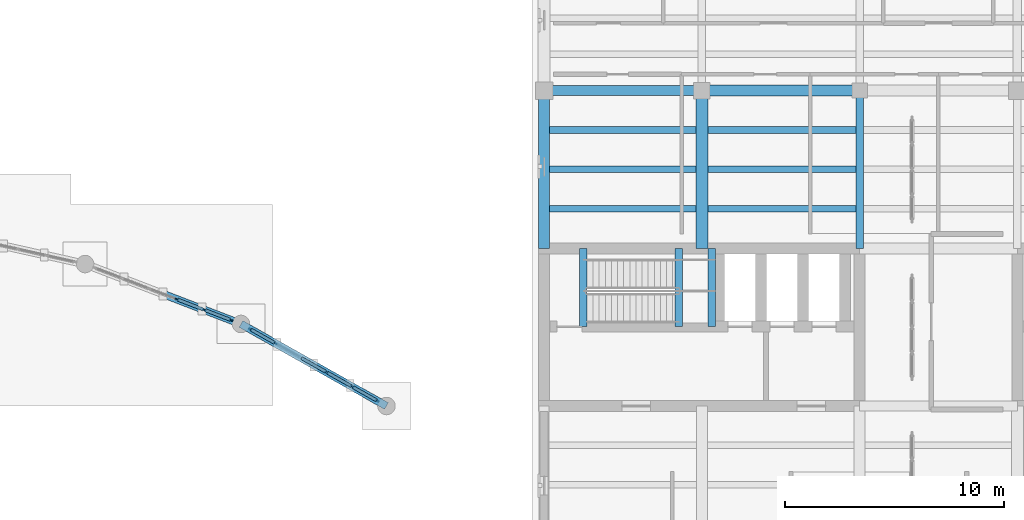
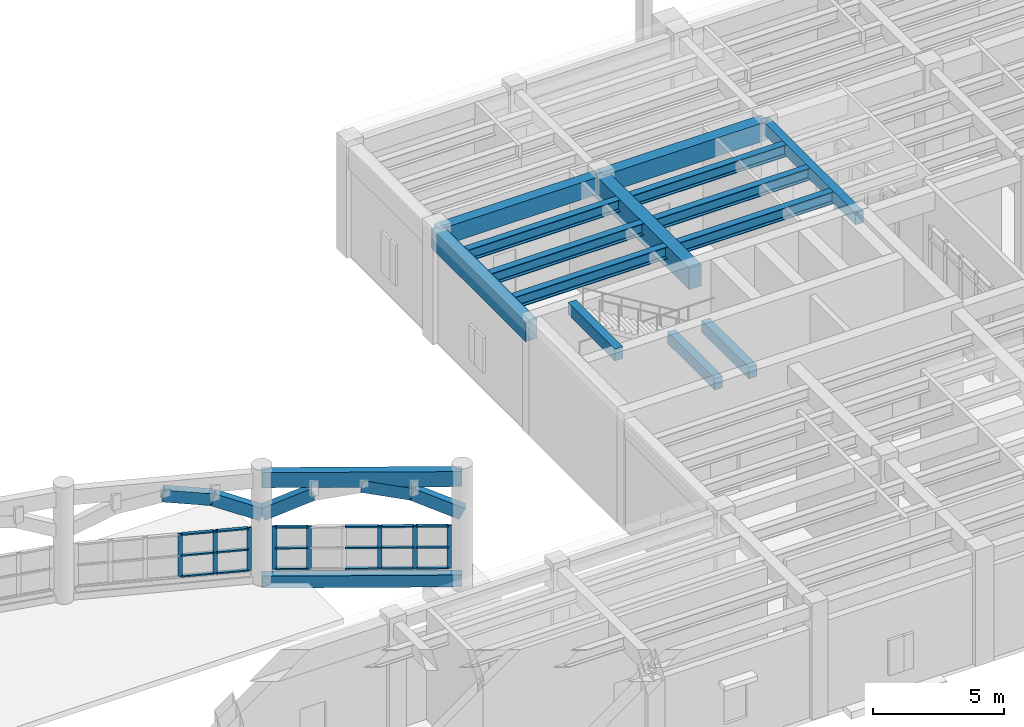
# One storey, part 33 of 100: 31 members, 16 beams, 2 elements without a shape of their own.
"""IFC4 building model written with IfcOpenShell, lengths in metres."""

import ifcopenshell
import ifcopenshell.guid

model = None  # the IFC model being written
_history = None  # IfcOwnerHistory: only IFC2X3 demands one
_inside = {}  # id of a spatial element -> (the spatial element, [elements in it])
_under = {}  # id of a project, library or spatial element -> (it, [spatial elements below it])
_declared = {}  # id of a project -> (the project, [libraries it declares])
_typed = {}  # id of a type object -> (the type object, [elements of that type])
_made_of = {}  # id of a material, layer set ... -> (it, [elements and type objects made of it])


def new_model(schema):
    """Start an empty IFC model of exactly this schema.

    Asked for "IFC4X3", IfcOpenShell would pick the latest addendum, in which some entities
    have other attributes; the version numbers below select the first issue.
    IFC2X3 requires an IfcOwnerHistory on every rooted entity: one is made here for all.
    """
    global model, _history
    if schema == "IFC4X3":
        model = ifcopenshell.file(schema_version=(4, 3, 0, 0))
    else:
        model = ifcopenshell.file(schema=schema)
    _inside.clear()
    _under.clear()
    _declared.clear()
    _typed.clear()
    _made_of.clear()
    _history = None
    if model.schema == "IFC2X3":
        org = make("IfcOrganization", Name="unknown")
        user = make(
            "IfcPersonAndOrganization",
            ThePerson=make("IfcPerson", FamilyName="unknown"),
            TheOrganization=org,
        )
        app = make(
            "IfcApplication",
            ApplicationDeveloper=org,
            Version="unknown",
            ApplicationFullName="unknown",
            ApplicationIdentifier="unknown",
        )
        _history = make(
            "IfcOwnerHistory",
            OwningUser=user,
            OwningApplication=app,
            ChangeAction="ADDED",
            CreationDate=0,
        )
    return model


def make(cls, **values):
    """One entity of the class cls with the attributes given. An attribute that is None is left unset."""
    return model.create_entity(
        cls, **{name: value for name, value in values.items() if value is not None}
    )


def rooted(cls, **values):
    """An entity with a GlobalId (a new one), such as an element, a storey or a relation."""
    return make(cls, GlobalId=ifcopenshell.guid.new(), OwnerHistory=_history, **values)


def si_unit(unit_type, name, prefix=None):
    """IfcSIUnit, for example si_unit("LENGTHUNIT", "METRE", prefix="MILLI")."""
    return make("IfcSIUnit", UnitType=unit_type, Prefix=prefix, Name=name)


def assignment(units):
    """IfcUnitAssignment: the units of a project."""
    return None if units is None else make("IfcUnitAssignment", Units=units)


def point(xyz):
    """IfcCartesianPoint."""
    return None if xyz is None else make("IfcCartesianPoint", Coordinates=xyz)


def direction(xyz):
    """IfcDirection."""
    return None if xyz is None else make("IfcDirection", DirectionRatios=xyz)


def frame(location, z_axis=None, x_axis=None):
    """IfcAxis2Placement3D, a coordinate frame: its origin and axes. An axis left out is left unset."""
    return make(
        "IfcAxis2Placement3D",
        Location=point(location),
        Axis=direction(z_axis),
        RefDirection=direction(x_axis),
    )


def frame_2d(location, x_axis=None):
    """IfcAxis2Placement2D, a coordinate frame in the plane: its origin and x axis."""
    return make(
        "IfcAxis2Placement2D", Location=point(location), RefDirection=direction(x_axis)
    )


def origin():
    """The frame at (0, 0, 0) with its axes left unset."""
    return frame((0.0, 0.0, 0.0))


def origin_2d():
    """The frame at (0, 0) in the plane with its x axis left unset."""
    return frame_2d((0.0, 0.0))


def place(relative_to, where):
    """IfcLocalPlacement: puts the frame where relative to a parent placement (None: the world)."""
    return make(
        "IfcLocalPlacement", PlacementRelTo=relative_to, RelativePlacement=where
    )


def context(
    kind, dimensions, precision=None, world=None, true_north=None, identifier=None
):
    """IfcGeometricRepresentationContext, for example the 3D "Model" context."""
    return make(
        "IfcGeometricRepresentationContext",
        ContextIdentifier=identifier,
        ContextType=kind,
        CoordinateSpaceDimension=dimensions,
        Precision=precision,
        WorldCoordinateSystem=world,
        TrueNorth=true_north,
    )


def subcontext(parent, identifier, kind, view, scale=None):
    """IfcGeometricRepresentationSubContext, for example "Body" below "Model"."""
    return make(
        "IfcGeometricRepresentationSubContext",
        ContextIdentifier=identifier,
        ContextType=kind,
        ParentContext=parent,
        TargetScale=scale,
        TargetView=view,
    )


def project(units=None, contexts=None):
    """IfcProject with its units and contexts."""
    return rooted(
        "IfcProject",
        Name="project",
        RepresentationContexts=contexts,
        UnitsInContext=assignment(units),
    )


def spatial(cls, under=None, at=None, **own):
    """A site, building, storey or space (cls), placed at a placement, below another one or the project."""
    s = rooted(cls, ObjectPlacement=at, **own)
    if under is not None:
        _under.setdefault(under.id(), (under, []))[1].append(s)
    return s


def profile(cls, at=None, kind="AREA", **sizes):
    """A parametric profile (cls). Its sizes go by their IFC names, for example OverallWidth=200.0."""
    return make(cls, ProfileType=kind, Position=at, **sizes)


def rectangle(**sizes):
    """IfcRectangleProfileDef."""
    return profile("IfcRectangleProfileDef", **sizes)


def i_section(**sizes):
    """IfcIShapeProfileDef."""
    return profile("IfcIShapeProfileDef", **sizes)


def extrude(swept, where, along, depth):
    """IfcExtrudedAreaSolid: the profile swept, set in the frame where, extruded along a direction by depth."""
    return make(
        "IfcExtrudedAreaSolid",
        SweptArea=swept,
        Position=where,
        ExtrudedDirection=direction(along),
        Depth=depth,
    )


def shape(context_of_items, identifier, shape_type, items):
    """IfcShapeRepresentation: the items that make up one representation, for example the "Body"."""
    return make(
        "IfcShapeRepresentation",
        ContextOfItems=context_of_items,
        RepresentationIdentifier=identifier,
        RepresentationType=shape_type,
        Items=items,
    )


def material(Name=None, Category=None):
    """IfcMaterial."""
    return make("IfcMaterial", Name=Name, Category=Category)


def material_profile(
    of_material, cross_section, Name=None, Category=None, Priority=None
):
    """IfcMaterialProfile: a cross section and its material."""
    return make(
        "IfcMaterialProfile",
        Name=Name,
        Material=of_material,
        Profile=cross_section,
        Priority=Priority,
        Category=Category,
    )


def profile_set(profiles, Name=None, composite=None):
    """IfcMaterialProfileSet."""
    return make(
        "IfcMaterialProfileSet",
        Name=Name,
        MaterialProfiles=profiles,
        CompositeProfile=composite,
    )


def made_of(thing, what):
    """Note that an element or type object is made of a material, layer set ...; save() writes the relation."""
    if what is not None:
        _made_of.setdefault(what.id(), (what, []))[1].append(thing)
    return thing


def type_object(cls, material=None, **own):
    """A type object (cls), such as IfcWallType, which elements share."""
    return made_of(rooted(cls, **own), material)


def element(
    cls,
    number,
    at=None,
    inside=None,
    cuts=None,
    type_object=None,
    material=None,
    context=None,
    identifier="Body",
    shape_type=None,
    held_by="IfcProductDefinitionShape",
    body=None,
    shapes=None,
    **own,
):
    """One element of the class cls, such as IfcWall. Its Tag is "e" and its number.

    at: its placement. inside: the storey or other place that contains it. cuts: it is an
    opening in that element (IfcRelVoidsElement). A single representation is given by context,
    identifier, shape_type and body (its items); several are given by shapes. held_by: the class
    of the entity that holds the representations. save() writes the other relations.
    """
    e = rooted(cls, Tag="e%d" % number, ObjectPlacement=at, **own)
    if body is not None:
        shapes = [shape(context, identifier, shape_type, body)]
    if shapes is not None:
        e.Representation = make(held_by, Representations=shapes)
    if inside is not None:
        _inside.setdefault(inside.id(), (inside, []))[1].append(e)
    if cuts is not None:
        rooted(
            "IfcRelVoidsElement", RelatingBuildingElement=cuts, RelatedOpeningElement=e
        )
    if type_object is not None:
        _typed.setdefault(type_object.id(), (type_object, []))[1].append(e)
    return made_of(e, material)


def aggregate(whole, parts):
    """IfcRelAggregates: a whole, such as a stair, and the parts it consists of."""
    return rooted("IfcRelAggregates", RelatingObject=whole, RelatedObjects=parts)


def save(model, path):
    """Write the relations noted so far, then the file.

    IfcRelAggregates (storeys below a building ...), IfcRelContainedInSpatialStructure (elements
    in a storey), IfcRelDefinesByType, IfcRelAssociatesMaterial and IfcRelDeclares: one each for
    every whole, place, type object, material and project.
    """
    for whole, parts in _under.values():
        aggregate(whole, parts)
    for where, things in _inside.values():
        rooted(
            "IfcRelContainedInSpatialStructure",
            RelatedElements=things,
            RelatingStructure=where,
        )
    for kind, things in _typed.values():
        rooted("IfcRelDefinesByType", RelatedObjects=things, RelatingType=kind)
    for what, things in _made_of.values():
        rooted("IfcRelAssociatesMaterial", RelatedObjects=things, RelatingMaterial=what)
    for by, libraries in _declared.values():
        rooted("IfcRelDeclares", RelatingContext=by, RelatedDefinitions=libraries)
    model.write(path)


model = new_model("IFC4")

# Units and contexts
model_context = context("Model", 3, precision=1e-05, world=origin(), true_north=direction((0.0, 1.0)))
body_context = subcontext(model_context, "Body", "Model", "MODEL_VIEW")
ifc_project = project(units=[si_unit("LENGTHUNIT", "METRE"), si_unit("AREAUNIT", "SQUARE_METRE"), si_unit("VOLUMEUNIT", "CUBIC_METRE"), si_unit("PLANEANGLEUNIT", "RADIAN"), si_unit("MASSUNIT", "GRAM", prefix="KILO")], contexts=[model_context])

# Site, building, storey
site_placement = place(None, origin())
site = spatial("IfcSite", under=ifc_project, at=site_placement, CompositionType="ELEMENT")
building_placement = place(site_placement, origin())
building = spatial("IfcBuilding", under=site, at=building_placement, Name="Mithqara Police Headquarters", CompositionType="ELEMENT")
storey_placement = place(building_placement, origin())
storey = spatial("IfcBuildingStorey", under=building, at=storey_placement, Name="L00", CompositionType="ELEMENT", Elevation=0.0)

# Members
ifc_material_1 = material(Name="Concrete C50/60", Category="concrete")
ifc_material_profile_1 = material_profile(ifc_material_1, rectangle(XDim=0.35009765625, YDim=0.550048828125, at=origin_2d()), Name="ARC 350x550")
ifc_profile_set_1 = profile_set([ifc_material_profile_1], Name="Concrete C50/60")
member_type_1 = type_object("IfcMemberType", Name="ARCH SEG 350X550", PredefinedType="STRUT", material=ifc_profile_set_1)
member_1_placement = place(storey_placement, frame((91.201416015625, 98.113037109375, 4.449951171875), z_axis=(0.915342841654, -0.351794086097, -0.195929587401), x_axis=(0.358747338936, 0.933434704094, 0.0)))
element("IfcMember", 1, at=member_1_placement, inside=storey, type_object=member_type_1, Name="Forecourt Colonnade Bay 7 Ottoman Arch Chord 3", PredefinedType="STRUT", context=body_context, shape_type="SweptSolid", body=[
    extrude(rectangle(XDim=0.35009765625, YDim=0.550048828125, at=origin_2d()), origin(), (0.0, 0.0, 1.0), 1.94384765625),
])
for number, where, z_axis, x_axis, name in (
    (2, (92.980712890625, 97.42919921875, 4.069091796875), (0.840782602286, -0.323067282339, -0.434410113573), (0.358678621144, 0.933461111528, 0.0), "Forecourt Colonnade Bay 7 Ottoman Arch Chord 4"),
    (3, (94.759765625, 96.74560546875, 3.14990234375), (0.784556167947, -0.442466603541, 0.434390290047), (0.491233979485, 0.871027655932, 0.0), "Forecourt Colonnade Bay 8 Ottoman Arch Chord 1"),
):
    element("IfcMember", number, at=place(storey_placement, frame(where, z_axis=z_axis, x_axis=x_axis)), inside=storey, type_object=member_type_1, Name=name, PredefinedType="STRUT", context=body_context, shape_type="SweptSolid", body=[
        extrude(rectangle(XDim=0.35009765625, YDim=0.550048828125, at=origin_2d()), origin(), (0.0, 0.0, 1.0), 2.115966796875),
    ])
member_2_placement = place(storey_placement, frame((98.079833984375, 94.872802734375, 4.449951171875), z_axis=(0.854090102127, -0.481807298788, -0.195938317547), x_axis=(0.491331152556, 0.870972846033, 0.0)))
element("IfcMember", 4, at=member_2_placement, inside=storey, type_object=member_type_1, Name="Forecourt Colonnade Bay 8 Ottoman Arch Chord 3", PredefinedType="STRUT", context=body_context, shape_type="SweptSolid", body=[
    extrude(rectangle(XDim=0.35009765625, YDim=0.550048828125, at=origin_2d()), origin(), (0.0, 0.0, 1.0), 1.94384765625),
])
member_3_placement = place(storey_placement, frame((99.739990234375, 93.936279296875, 4.069091796875), z_axis=(0.784511803162, -0.442506657615, -0.434429613017), x_axis=(0.491288792555, 0.8709967407, 0.0)))
element("IfcMember", 5, at=member_3_placement, inside=storey, type_object=member_type_1, Name="Forecourt Colonnade Bay 8 Ottoman Arch Chord 4", PredefinedType="STRUT", context=body_context, shape_type="SweptSolid", body=[
    extrude(rectangle(XDim=0.35009765625, YDim=0.550048828125, at=origin_2d()), origin(), (0.0, 0.0, 1.0), 2.115966796875),
])

# Beams
ifc_material_2 = material(Name="Steel S355JR", Category="steel")
ifc_material_profile_2 = material_profile(ifc_material_2, i_section(OverallWidth=0.300048828125, OverallDepth=0.550048828125, WebThickness=0.014892578125, FlangeThickness=0.029052734375, FilletRadius=0.027099609375, at=origin_2d()), Name="HEB 550")
ifc_profile_set_2 = profile_set([ifc_material_profile_2], Name="Steel S355JR")
beam_type_1 = type_object("IfcBeamType", Name="BEAM HEB550", PredefinedType="BEAM", material=ifc_profile_set_2)
for number, where, z_axis, x_axis, name in (
    (6, (108.85009765625, 102.0, 4.844970703125), (1.0, 0.0, 0.0), (0.0, 1.0, 0.0), "L00 Composite Steel Joist 16-17/Q.1"),
    (7, (108.85009765625, 103.800048828125, 4.844970703125), (1.0, 0.0, 0.0), (0.0, 1.0, 0.0), "L00 Composite Steel Joist 16-17/Q.2"),
    (8, (108.85009765625, 105.60009765625, 4.844970703125), (1.0, 0.0, 0.0), (0.0, 1.0, 0.0), "L00 Composite Steel Joist 16-17/Q.3"),
):
    element("IfcBeam", number, at=place(storey_placement, frame(where, z_axis=z_axis, x_axis=x_axis)), inside=storey, type_object=beam_type_1, Name=name, PredefinedType="BEAM", context=body_context, shape_type="SweptSolid", body=[
        extrude(i_section(OverallWidth=0.300048828125, OverallDepth=0.550048828125, WebThickness=0.014892578125, FlangeThickness=0.029052734375, FilletRadius=0.027099609375, at=origin_2d()), origin(), (0.0, 0.0, 1.0), 6.6748046875),
    ])
for number, where, z_axis, x_axis, name in (
    (9, (116.074951171875, 102.0, 4.844970703125), (1.0, 0.0, 0.0), (0.0, 1.0, 0.0), "L00 Composite Steel Joist 17-18/Q.1"),
    (10, (116.074951171875, 103.800048828125, 4.844970703125), (1.0, 0.0, 0.0), (0.0, 1.0, 0.0), "L00 Composite Steel Joist 17-18/Q.2"),
    (11, (116.074951171875, 105.60009765625, 4.844970703125), (1.0, 0.0, 0.0), (0.0, 1.0, 0.0), "L00 Composite Steel Joist 17-18/Q.3"),
):
    element("IfcBeam", number, at=place(storey_placement, frame(where, z_axis=z_axis, x_axis=x_axis)), inside=storey, type_object=beam_type_1, Name=name, PredefinedType="BEAM", context=body_context, shape_type="SweptSolid", body=[
        extrude(i_section(OverallWidth=0.300048828125, OverallDepth=0.550048828125, WebThickness=0.014892578125, FlangeThickness=0.029052734375, FilletRadius=0.027099609375, at=origin_2d()), origin(), (0.0, 0.0, 1.0), 6.75),
    ])
ifc_material_3 = material(Name="Concrete C40/50", Category="concrete")
ifc_material_profile_3 = material_profile(ifc_material_3, rectangle(XDim=0.35009765625, YDim=0.550048828125, at=origin_2d()), Name="RC 350x550")
ifc_profile_set_3 = profile_set([ifc_material_profile_3], Name="Concrete C40/50")
beam_type_2 = type_object("IfcBeamType", Name="BEAM RC350X550", PredefinedType="BEAM", material=ifc_profile_set_3)
beam_1_placement = place(storey_placement, frame((94.759765625, 96.74560546875, 0.0400390625), z_axis=(0.870984792582, -0.491309974549, 0.0), x_axis=(0.491309974549, 0.870984792582, 0.0)))
element("IfcBeam", 12, at=beam_1_placement, inside=storey, type_object=beam_type_2, Name="Forecourt Colonnade Plinth Spandrel 8", PredefinedType="BEAM", context=body_context, shape_type="SweptSolid", body=[
    extrude(rectangle(XDim=0.35009765625, YDim=0.550048828125, at=origin_2d()), origin(), (0.0, 0.0, 1.0), 7.623779296875),
])
beam_2_placement = place(storey_placement, frame((123.0, 100.199951171875, 4.844970703125), z_axis=(0.0, 1.0, 0.0), x_axis=(-1.0, 0.0, 0.0)))
element("IfcBeam", 13, at=beam_2_placement, inside=storey, type_object=beam_type_2, Name="L00 Girder 18/Q-R", PredefinedType="BEAM", context=body_context, shape_type="SweptSolid", body=[
    extrude(rectangle(XDim=0.35009765625, YDim=0.550048828125, at=origin_2d()), origin(), (0.0, 0.0, 1.0), 7.199951171875),
])
for number, where, z_axis, x_axis, name in (
    (14, (114.75, 96.6201171875, 2.235107421875), (0.0, 1.0, 0.0), (-1.0, 0.0, 0.0), "L00 ST-01 Half-Landing Bearer LF"),
    (15, (116.25, 96.6201171875, 2.235107421875), (0.0, 1.0, 0.0), (-1.0, 0.0, 0.0), "L00 ST-01 Half-Landing Bearer LB"),
    (16, (110.376953125, 96.6201171875, 5.125), (0.0, 1.0, 0.0), (-1.0, 0.0, 0.0), "L00 ST-01 Stairwell Trimmer Beam"),
):
    element("IfcBeam", number, at=place(storey_placement, frame(where, z_axis=z_axis, x_axis=x_axis)), inside=storey, type_object=beam_type_2, Name=name, PredefinedType="BEAM", context=body_context, shape_type="SweptSolid", body=[
        extrude(rectangle(XDim=0.35009765625, YDim=0.550048828125, at=origin_2d()), origin(), (0.0, 0.0, 1.0), 3.579833984375),
    ])
ifc_material_profile_4 = material_profile(ifc_material_3, rectangle(XDim=0.449951171875, YDim=0.800048828125, at=origin_2d()), Name="RC 450x800")
ifc_profile_set_4 = profile_set([ifc_material_profile_4], Name="Concrete C40/50")
beam_type_3 = type_object("IfcBeamType", Name="BEAM RC450X800", PredefinedType="BEAM", material=ifc_profile_set_4)
beam_3_placement = place(storey_placement, frame((108.60009765625, 107.39990234375, 4.719970703125), z_axis=(1.0, 0.0, 0.0), x_axis=(0.0, 1.0, 0.0)))
element("IfcBeam", 17, at=beam_3_placement, inside=storey, type_object=beam_type_3, Name="L00 Girder 16-17/R", PredefinedType="BEAM", context=body_context, shape_type="SweptSolid", body=[
    extrude(rectangle(XDim=0.449951171875, YDim=0.800048828125, at=origin_2d()), origin(), (0.0, 0.0, 1.0), 7.199951171875),
])
ifc_material_profile_5 = material_profile(ifc_material_3, rectangle(XDim=0.5, YDim=0.85009765625, at=origin_2d()), Name="RC 500x850")
ifc_profile_set_5 = profile_set([ifc_material_profile_5], Name="Concrete C40/50")
beam_type_4 = type_object("IfcBeamType", Name="BEAM RC500X850", PredefinedType="BEAM", material=ifc_profile_set_5)
beam_4_placement = place(storey_placement, frame((115.800048828125, 107.39990234375, 4.695068359375), z_axis=(1.0, 0.0, 0.0), x_axis=(0.0, 1.0, 0.0)))
element("IfcBeam", 18, at=beam_4_placement, inside=storey, type_object=beam_type_4, Name="L00 Girder 17-18/R", PredefinedType="BEAM", context=body_context, shape_type="SweptSolid", body=[
    extrude(rectangle(XDim=0.5, YDim=0.85009765625, at=origin_2d()), origin(), (0.0, 0.0, 1.0), 7.199951171875),
])
ifc_material_profile_6 = material_profile(ifc_material_1, rectangle(XDim=0.5, YDim=0.89990234375, at=origin_2d()), Name="RC 500x900")
ifc_profile_set_6 = profile_set([ifc_material_profile_6], Name="Concrete C50/60")
beam_type_5 = type_object("IfcBeamType", Name="BEAM RC500X900", PredefinedType="BEAM", material=ifc_profile_set_6)
beam_5_placement = place(storey_placement, frame((108.60009765625, 100.199951171875, 4.669921875), z_axis=(0.0, 1.0, 0.0), x_axis=(-1.0, 0.0, 0.0)))
element("IfcBeam", 19, at=beam_5_placement, inside=storey, type_object=beam_type_5, Name="L00 Girder 16/Q-R", PredefinedType="BEAM", context=body_context, shape_type="SweptSolid", body=[
    extrude(rectangle(XDim=0.5, YDim=0.89990234375, at=origin_2d()), origin(), (0.0, 0.0, 1.0), 7.199951171875),
])
ifc_material_profile_7 = material_profile(ifc_material_1, rectangle(XDim=0.550048828125, YDim=1.0, at=origin_2d()), Name="RC 550x1000")
ifc_profile_set_7 = profile_set([ifc_material_profile_7], Name="Concrete C50/60")
beam_type_6 = type_object("IfcBeamType", Name="BEAM RC550X1000", PredefinedType="BEAM", material=ifc_profile_set_7)
beam_6_placement = place(storey_placement, frame((115.800048828125, 100.199951171875, 4.6201171875), z_axis=(0.0, 1.0, 0.0), x_axis=(-1.0, 0.0, 0.0)))
element("IfcBeam", 20, at=beam_6_placement, inside=storey, type_object=beam_type_6, Name="L00 Girder 17/Q-R", PredefinedType="BEAM", context=body_context, shape_type="SweptSolid", body=[
    extrude(rectangle(XDim=0.550048828125, YDim=1.0, at=origin_2d()), origin(), (0.0, 0.0, 1.0), 7.199951171875),
])

# Curtain wall, members
ifc_material_4 = material(Name="Bronze anodised aluminium 6063-T6", Category="aluminium")
curtain_wall_type = type_object("IfcCurtainWallType", Name="CURTAIN WALL 6725X2000", PredefinedType="USERDEFINED", material=ifc_material_4)
curtain_wall_1_placement = place(storey_placement, origin())
curtain_wall_1 = element("IfcCurtainWall", 21, at=curtain_wall_1_placement, inside=storey, type_object=curtain_wall_type, Name="L00 Unitised Glazing CW-11 (CW-ARC-L00-06-0)", ObjectType="UNITISED GLAZING", PredefinedType="USERDEFINED")
ifc_material_profile_8 = material_profile(ifc_material_4, rectangle(XDim=0.06494140625, YDim=0.179931640625, at=origin_2d()), Name="CWM 65x180")
ifc_profile_set_8 = profile_set([ifc_material_profile_8], Name="Bronze anodised aluminium 6063-T6")
member_type_2 = type_object("IfcMemberType", Name="CWMULLION 65X180", PredefinedType="MULLION", material=ifc_profile_set_8)
member_4_placement = place(storey_placement, frame((91.8291015625, 97.871826171875, 0.52001953125), z_axis=(0.0, 0.0, 1.0), x_axis=(0.358680114811, 0.933460537591, 0.0)))
member_4 = element("IfcMember", 22, at=member_4_placement, type_object=member_type_2, Name="CW-11 mullion 4", PredefinedType="MULLION", context=body_context, shape_type="SweptSolid", body=[
    extrude(rectangle(XDim=0.06494140625, YDim=0.179931640625, at=origin_2d()), origin(), (0.0, 0.0, 1.0), 2.0),
])
member_5_placement = place(storey_placement, frame((93.084716796875, 97.389404296875, 0.52001953125), z_axis=(0.0, 0.0, 1.0), x_axis=(0.358680114811, 0.933460537591, 0.0)))
member_5 = element("IfcMember", 23, at=member_5_placement, type_object=member_type_2, Name="CW-11 mullion 5", PredefinedType="MULLION", context=body_context, shape_type="SweptSolid", body=[
    extrude(rectangle(XDim=0.06494140625, YDim=0.179931640625, at=origin_2d()), origin(), (0.0, 0.0, 1.0), 2.0),
])
member_6_placement = place(storey_placement, frame((94.309814453125, 96.918701171875, 0.52001953125), z_axis=(0.0, 0.0, 1.0), x_axis=(0.358680114811, 0.933460537591, 0.0)))
member_6 = element("IfcMember", 24, at=member_6_placement, type_object=member_type_2, Name="CW-11 mullion 6", PredefinedType="MULLION", context=body_context, shape_type="SweptSolid", body=[
    extrude(rectangle(XDim=0.06494140625, YDim=0.179931640625, at=origin_2d()), origin(), (0.0, 0.0, 1.0), 2.0),
])

curtain_wall_2_placement = place(storey_placement, origin())
curtain_wall_2 = element("IfcCurtainWall", 25, at=curtain_wall_2_placement, inside=storey, type_object=curtain_wall_type, Name="L00 Unitised Glazing CW-11 (CW-ARC-L00-07-0)", ObjectType="UNITISED GLAZING", PredefinedType="USERDEFINED")
member_7_placement = place(storey_placement, frame((95.1796875, 96.5087890625, 0.52001953125), z_axis=(0.0, 0.0, 1.0), x_axis=(0.491315691036, 0.870981567969, 0.0)))
member_7 = element("IfcMember", 26, at=member_7_placement, type_object=member_type_2, Name="CW-11 mullion 1", PredefinedType="MULLION", context=body_context, shape_type="SweptSolid", body=[
    extrude(rectangle(XDim=0.06494140625, YDim=0.179931640625, at=origin_2d()), origin(), (0.0, 0.0, 1.0), 2.0),
])
member_8_placement = place(storey_placement, frame((96.32275390625, 95.864013671875, 0.52001953125), z_axis=(0.0, 0.0, 1.0), x_axis=(0.491315691036, 0.870981567969, 0.0)))
member_8 = element("IfcMember", 27, at=member_8_placement, type_object=member_type_2, Name="CW-11 mullion 2", PredefinedType="MULLION", context=body_context, shape_type="SweptSolid", body=[
    extrude(rectangle(XDim=0.06494140625, YDim=0.179931640625, at=origin_2d()), origin(), (0.0, 0.0, 1.0), 2.0),
])
member_9_placement = place(storey_placement, frame((98.66552734375, 94.54248046875, 0.52001953125), z_axis=(0.0, 0.0, 1.0), x_axis=(0.491315691036, 0.870981567969, 0.0)))
member_9 = element("IfcMember", 28, at=member_9_placement, type_object=member_type_2, Name="CW-11 mullion 4", PredefinedType="MULLION", context=body_context, shape_type="SweptSolid", body=[
    extrude(rectangle(XDim=0.06494140625, YDim=0.179931640625, at=origin_2d()), origin(), (0.0, 0.0, 1.0), 2.0),
])
member_10_placement = place(storey_placement, frame((99.8369140625, 93.881591796875, 0.52001953125), z_axis=(0.0, 0.0, 1.0), x_axis=(0.491315691036, 0.870981567969, 0.0)))
member_10 = element("IfcMember", 29, at=member_10_placement, type_object=member_type_2, Name="CW-11 mullion 5", PredefinedType="MULLION", context=body_context, shape_type="SweptSolid", body=[
    extrude(rectangle(XDim=0.06494140625, YDim=0.179931640625, at=origin_2d()), origin(), (0.0, 0.0, 1.0), 2.0),
])
member_11_placement = place(storey_placement, frame((100.97998046875, 93.23681640625, 0.52001953125), z_axis=(0.0, 0.0, 1.0), x_axis=(0.491315691036, 0.870981567969, 0.0)))
member_11 = element("IfcMember", 30, at=member_11_placement, type_object=member_type_2, Name="CW-11 mullion 6", PredefinedType="MULLION", context=body_context, shape_type="SweptSolid", body=[
    extrude(rectangle(XDim=0.06494140625, YDim=0.179931640625, at=origin_2d()), origin(), (0.0, 0.0, 1.0), 2.0),
])

# Member
ifc_material_profile_9 = material_profile(ifc_material_4, rectangle(XDim=0.139892578125, YDim=0.06494140625, at=origin_2d()), Name="CWT 140x65")
ifc_profile_set_9 = profile_set([ifc_material_profile_9], Name="Bronze anodised aluminium 6063-T6")
member_type_3 = type_object("IfcMemberType", Name="CWTRANSOM 140X65", PredefinedType="USERDEFINED", material=ifc_profile_set_9)
member_12_placement = place(storey_placement, frame((91.859619140625, 97.860107421875, 0.552490234375), z_axis=(0.933493008626, -0.358595597919, 0.0), x_axis=(0.358595597919, 0.933493008626, 0.0)))
member_12 = element("IfcMember", 31, at=member_12_placement, type_object=member_type_3, Name="CW-11 transom 4.1", ObjectType="TRANSOM", PredefinedType="USERDEFINED", context=body_context, shape_type="SweptSolid", body=[
    extrude(rectangle(XDim=0.139892578125, YDim=0.06494140625, at=origin_2d()), origin(), (0.0, 0.0, 1.0), 1.280029296875),
])

member_13_placement = place(storey_placement, frame((91.859619140625, 97.860107421875, 1.52001953125), z_axis=(0.933493008626, -0.358595597919, 0.0), x_axis=(0.358595597919, 0.933493008626, 0.0)))
member_13 = element("IfcMember", 32, at=member_13_placement, type_object=member_type_3, Name="CW-11 transom 4.2", ObjectType="TRANSOM", PredefinedType="USERDEFINED", context=body_context, shape_type="SweptSolid", body=[
    extrude(rectangle(XDim=0.139892578125, YDim=0.06494140625, at=origin_2d()), origin(), (0.0, 0.0, 1.0), 1.280029296875),
])

member_14_placement = place(storey_placement, frame((91.859619140625, 97.860107421875, 2.487548828125), z_axis=(0.933493008626, -0.358595597919, 0.0), x_axis=(0.358595597919, 0.933493008626, 0.0)))
member_14 = element("IfcMember", 33, at=member_14_placement, type_object=member_type_3, Name="CW-11 transom 4.3", ObjectType="TRANSOM", PredefinedType="USERDEFINED", context=body_context, shape_type="SweptSolid", body=[
    extrude(rectangle(XDim=0.139892578125, YDim=0.06494140625, at=origin_2d()), origin(), (0.0, 0.0, 1.0), 1.280029296875),
])

member_15_placement = place(storey_placement, frame((93.114990234375, 97.377685546875, 0.552490234375), z_axis=(0.93351699453, -0.358533151778, 0.0), x_axis=(0.358533151778, 0.93351699453, 0.0)))
member_15 = element("IfcMember", 34, at=member_15_placement, type_object=member_type_3, Name="CW-11 transom 5.1", ObjectType="TRANSOM", PredefinedType="USERDEFINED", context=body_context, shape_type="SweptSolid", body=[
    extrude(rectangle(XDim=0.139892578125, YDim=0.06494140625, at=origin_2d()), origin(), (0.0, 0.0, 1.0), 1.24755859375),
])

member_16_placement = place(storey_placement, frame((93.114990234375, 97.377685546875, 1.52001953125), z_axis=(0.93351699453, -0.358533151778, 0.0), x_axis=(0.358533151778, 0.93351699453, 0.0)))
member_16 = element("IfcMember", 35, at=member_16_placement, type_object=member_type_3, Name="CW-11 transom 5.2", ObjectType="TRANSOM", PredefinedType="USERDEFINED", context=body_context, shape_type="SweptSolid", body=[
    extrude(rectangle(XDim=0.139892578125, YDim=0.06494140625, at=origin_2d()), origin(), (0.0, 0.0, 1.0), 1.24755859375),
])

member_17_placement = place(storey_placement, frame((93.114990234375, 97.377685546875, 2.487548828125), z_axis=(0.93351699453, -0.358533151778, 0.0), x_axis=(0.358533151778, 0.93351699453, 0.0)))
member_17 = element("IfcMember", 36, at=member_17_placement, type_object=member_type_3, Name="CW-11 transom 5.3", ObjectType="TRANSOM", PredefinedType="USERDEFINED", context=body_context, shape_type="SweptSolid", body=[
    extrude(rectangle(XDim=0.139892578125, YDim=0.06494140625, at=origin_2d()), origin(), (0.0, 0.0, 1.0), 1.24755859375),
])

aggregate(curtain_wall_1, [member_4, member_5, member_6, member_12, member_13, member_14, member_15, member_16, member_17])

member_18_placement = place(storey_placement, frame((95.2080078125, 96.492919921875, 0.552490234375), z_axis=(0.870916184468, -0.491431581842, 0.0), x_axis=(0.491431581842, 0.870916184468, 0.0)))
member_18 = element("IfcMember", 37, at=member_18_placement, type_object=member_type_3, Name="CW-11 transom 1.1", ObjectType="TRANSOM", PredefinedType="USERDEFINED", context=body_context, shape_type="SweptSolid", body=[
    extrude(rectangle(XDim=0.139892578125, YDim=0.06494140625, at=origin_2d()), origin(), (0.0, 0.0, 1.0), 1.24755859375),
])

member_19_placement = place(storey_placement, frame((95.2080078125, 96.492919921875, 1.52001953125), z_axis=(0.870916184468, -0.491431581842, 0.0), x_axis=(0.491431581842, 0.870916184468, 0.0)))
member_19 = element("IfcMember", 38, at=member_19_placement, type_object=member_type_3, Name="CW-11 transom 1.2", ObjectType="TRANSOM", PredefinedType="USERDEFINED", context=body_context, shape_type="SweptSolid", body=[
    extrude(rectangle(XDim=0.139892578125, YDim=0.06494140625, at=origin_2d()), origin(), (0.0, 0.0, 1.0), 1.24755859375),
])

member_20_placement = place(storey_placement, frame((95.2080078125, 96.492919921875, 2.487548828125), z_axis=(0.870916184468, -0.491431581842, 0.0), x_axis=(0.491431581842, 0.870916184468, 0.0)))
member_20 = element("IfcMember", 39, at=member_20_placement, type_object=member_type_3, Name="CW-11 transom 1.3", ObjectType="TRANSOM", PredefinedType="USERDEFINED", context=body_context, shape_type="SweptSolid", body=[
    extrude(rectangle(XDim=0.139892578125, YDim=0.06494140625, at=origin_2d()), origin(), (0.0, 0.0, 1.0), 1.24755859375),
])

member_21_placement = place(storey_placement, frame((97.5224609375, 95.187255859375, 0.552490234375), z_axis=(0.870953350717, -0.49136570991, 0.0), x_axis=(0.49136570991, 0.870953350717, 0.0)))
member_21 = element("IfcMember", 40, at=member_21_placement, type_object=member_type_3, Name="CW-11 transom 3.1", ObjectType="TRANSOM", PredefinedType="USERDEFINED", context=body_context, shape_type="SweptSolid", body=[
    extrude(rectangle(XDim=0.139892578125, YDim=0.06494140625, at=origin_2d()), origin(), (0.0, 0.0, 1.0), 1.280029296875),
])

member_22_placement = place(storey_placement, frame((97.5224609375, 95.187255859375, 1.52001953125), z_axis=(0.870953350717, -0.49136570991, 0.0), x_axis=(0.49136570991, 0.870953350717, 0.0)))
member_22 = element("IfcMember", 41, at=member_22_placement, type_object=member_type_3, Name="CW-11 transom 3.2", ObjectType="TRANSOM", PredefinedType="USERDEFINED", context=body_context, shape_type="SweptSolid", body=[
    extrude(rectangle(XDim=0.139892578125, YDim=0.06494140625, at=origin_2d()), origin(), (0.0, 0.0, 1.0), 1.280029296875),
])

member_23_placement = place(storey_placement, frame((97.5224609375, 95.187255859375, 2.487548828125), z_axis=(0.870953350717, -0.49136570991, 0.0), x_axis=(0.49136570991, 0.870953350717, 0.0)))
member_23 = element("IfcMember", 42, at=member_23_placement, type_object=member_type_3, Name="CW-11 transom 3.3", ObjectType="TRANSOM", PredefinedType="USERDEFINED", context=body_context, shape_type="SweptSolid", body=[
    extrude(rectangle(XDim=0.139892578125, YDim=0.06494140625, at=origin_2d()), origin(), (0.0, 0.0, 1.0), 1.280029296875),
])

member_24_placement = place(storey_placement, frame((98.69384765625, 94.526611328125, 0.552490234375), z_axis=(0.870953350717, -0.49136570991, 0.0), x_axis=(0.49136570991, 0.870953350717, 0.0)))
member_24 = element("IfcMember", 43, at=member_24_placement, type_object=member_type_3, Name="CW-11 transom 4.1", ObjectType="TRANSOM", PredefinedType="USERDEFINED", context=body_context, shape_type="SweptSolid", body=[
    extrude(rectangle(XDim=0.139892578125, YDim=0.06494140625, at=origin_2d()), origin(), (0.0, 0.0, 1.0), 1.280029296875),
])

member_25_placement = place(storey_placement, frame((98.69384765625, 94.526611328125, 1.52001953125), z_axis=(0.870953350717, -0.49136570991, 0.0), x_axis=(0.49136570991, 0.870953350717, 0.0)))
member_25 = element("IfcMember", 44, at=member_25_placement, type_object=member_type_3, Name="CW-11 transom 4.2", ObjectType="TRANSOM", PredefinedType="USERDEFINED", context=body_context, shape_type="SweptSolid", body=[
    extrude(rectangle(XDim=0.139892578125, YDim=0.06494140625, at=origin_2d()), origin(), (0.0, 0.0, 1.0), 1.280029296875),
])

member_26_placement = place(storey_placement, frame((98.69384765625, 94.526611328125, 2.487548828125), z_axis=(0.870953350717, -0.49136570991, 0.0), x_axis=(0.49136570991, 0.870953350717, 0.0)))
member_26 = element("IfcMember", 45, at=member_26_placement, type_object=member_type_3, Name="CW-11 transom 4.3", ObjectType="TRANSOM", PredefinedType="USERDEFINED", context=body_context, shape_type="SweptSolid", body=[
    extrude(rectangle(XDim=0.139892578125, YDim=0.06494140625, at=origin_2d()), origin(), (0.0, 0.0, 1.0), 1.280029296875),
])

member_27_placement = place(storey_placement, frame((99.865234375, 93.86572265625, 0.552490234375), z_axis=(0.871047172771, -0.491199371749, 0.0), x_axis=(0.491199371749, 0.871047172771, 0.0)))
member_27 = element("IfcMember", 46, at=member_27_placement, type_object=member_type_3, Name="CW-11 transom 5.1", ObjectType="TRANSOM", PredefinedType="USERDEFINED", context=body_context, shape_type="SweptSolid", body=[
    extrude(rectangle(XDim=0.139892578125, YDim=0.06494140625, at=origin_2d()), origin(), (0.0, 0.0, 1.0), 1.24755859375),
])

member_28_placement = place(storey_placement, frame((99.865234375, 93.86572265625, 1.52001953125), z_axis=(0.871047172771, -0.491199371749, 0.0), x_axis=(0.491199371749, 0.871047172771, 0.0)))
member_28 = element("IfcMember", 47, at=member_28_placement, type_object=member_type_3, Name="CW-11 transom 5.2", ObjectType="TRANSOM", PredefinedType="USERDEFINED", context=body_context, shape_type="SweptSolid", body=[
    extrude(rectangle(XDim=0.139892578125, YDim=0.06494140625, at=origin_2d()), origin(), (0.0, 0.0, 1.0), 1.24755859375),
])

member_29_placement = place(storey_placement, frame((99.865234375, 93.86572265625, 2.487548828125), z_axis=(0.871047172771, -0.491199371749, 0.0), x_axis=(0.491199371749, 0.871047172771, 0.0)))
member_29 = element("IfcMember", 48, at=member_29_placement, type_object=member_type_3, Name="CW-11 transom 5.3", ObjectType="TRANSOM", PredefinedType="USERDEFINED", context=body_context, shape_type="SweptSolid", body=[
    extrude(rectangle(XDim=0.139892578125, YDim=0.06494140625, at=origin_2d()), origin(), (0.0, 0.0, 1.0), 1.24755859375),
])

aggregate(curtain_wall_2, [member_7, member_8, member_9, member_10, member_11, member_18, member_19, member_20, member_21, member_22, member_23, member_24, member_25, member_26, member_27, member_28, member_29])

# Beam
ifc_material_profile_10 = material_profile(ifc_material_3, rectangle(XDim=0.35009765625, YDim=0.699951171875, at=origin_2d()), Name="SPB 350x700")
ifc_profile_set_10 = profile_set([ifc_material_profile_10], Name="Concrete C40/50")
beam_type_7 = type_object("IfcBeamType", Name="SPANDREL 350X700", PredefinedType="SPANDREL", material=ifc_profile_set_10)
beam_7_placement = place(storey_placement, frame((94.759765625, 96.74560546875, 4.77001953125), z_axis=(0.870984792582, -0.491309974549, 0.0), x_axis=(0.491309974549, 0.870984792582, 0.0)))
element("IfcBeam", 49, at=beam_7_placement, inside=storey, type_object=beam_type_7, Name="L00 Swept Arcade Ring Spandrel 8", PredefinedType="SPANDREL", context=body_context, shape_type="SweptSolid", body=[
    extrude(rectangle(XDim=0.35009765625, YDim=0.699951171875, at=origin_2d()), origin(), (0.0, 0.0, 1.0), 7.623779296875),
])

save(model, "model.ifc")
